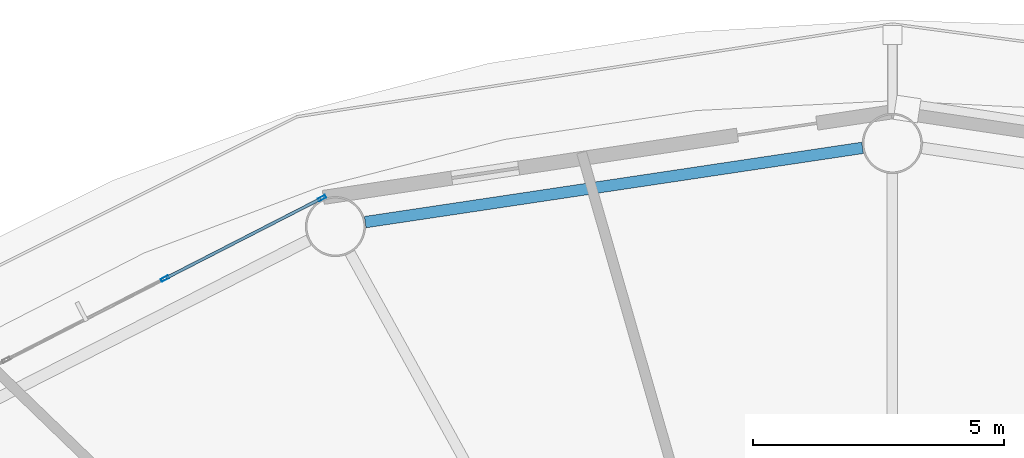
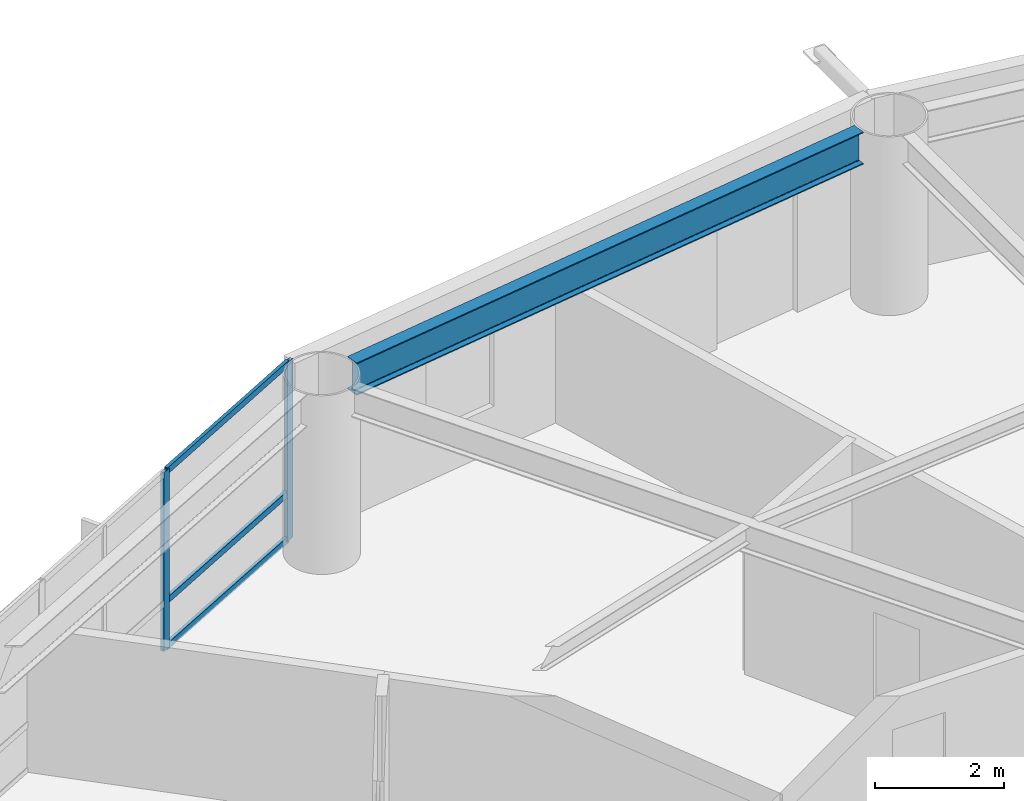
# One storey, part 10 of 24: 5 members, 1 beam, 1 element without a shape of its own.
"""IFC4 building model written with IfcOpenShell, lengths in metres."""

from ifc_helpers import new_model, si_unit, direction, frame, origin, origin_2d, place, context, subcontext, project, spatial, hollow_rectangle, i_section, extrude, material, layer, layer_set, material_profile, profile_set, type_object, element, aggregate, save


model = new_model("IFC4")

# Units and contexts
model_context = context("Model", 3, precision=1e-05, world=origin(), true_north=direction((0.0, 1.0)))
body_context = subcontext(model_context, "Body", "Model", "MODEL_VIEW")
ifc_project = project(units=[si_unit("LENGTHUNIT", "METRE"), si_unit("AREAUNIT", "SQUARE_METRE"), si_unit("VOLUMEUNIT", "CUBIC_METRE"), si_unit("PLANEANGLEUNIT", "RADIAN"), si_unit("MASSUNIT", "GRAM", prefix="KILO")], contexts=[model_context])

# Site, building, storey
site_placement = place(None, origin())
site = spatial("IfcSite", under=ifc_project, at=site_placement, CompositionType="ELEMENT")
building_placement = place(site_placement, origin())
building = spatial("IfcBuilding", under=site, at=building_placement, Name="Sarneth Arch Tower", CompositionType="ELEMENT")
storey_placement = place(building_placement, frame((0.0, 0.0, 94.800048828125)))
storey = spatial("IfcBuildingStorey", under=building, at=storey_placement, Name="L23", CompositionType="ELEMENT", Elevation=94.800048828125)

# Beam
ifc_material_1 = material(Name="Steel S355", Category="steel")
ifc_material_profile_1 = material_profile(ifc_material_1, i_section(OverallWidth=0.22900390625, OverallDepth=0.612060546875, WebThickness=0.011962890625, FlangeThickness=0.01953125, FilletRadius=0.01904296875, at=origin_2d()), Name="W610x125")
ifc_profile_set_1 = profile_set([ifc_material_profile_1], Name="Steel S355")
beam_type = type_object("IfcBeamType", Name="BM-SPAN-610C", PredefinedType="SPANDREL", material=ifc_profile_set_1)
beam_placement = place(storey_placement, frame((47.406494140625, 63.71142578125, 3.073974609375), z_axis=(-0.989028613319, -0.147724073992, 0.0), x_axis=(0.147724073992, -0.989028613319, 0.0)))
element("IfcBeam", 1, at=beam_placement, inside=storey, type_object=beam_type, Name="L23 Perimeter spandrel beam 05", PredefinedType="SPANDREL", context=body_context, shape_type="SweptSolid", body=[
    extrude(i_section(OverallWidth=0.22900390625, OverallDepth=0.612060546875, WebThickness=0.011962890625, FlangeThickness=0.01953125, FilletRadius=0.01904296875, at=origin_2d()), origin(), (0.0, 0.0, 1.0), 10.033447265625),
])

# Curtain wall, members
ifc_material_2 = material(Name="Anodised aluminium Type AA25 and solar-control low-e laminated IGU", Category="aluminium")
ifc_layer = layer(ifc_material_2, 0.159912109375)
ifc_layer_set = layer_set([ifc_layer], Name="Anodised aluminium Type AA25 and solar-control low-e laminated IGU")
curtain_wall_type = type_object("IfcCurtainWallType", Name="CW-HOTEL-MID", PredefinedType="NOTDEFINED", material=ifc_layer_set)
curtain_wall_placement = place(storey_placement, origin())
curtain_wall = element("IfcCurtainWall", 2, at=curtain_wall_placement, inside=storey, type_object=curtain_wall_type, Name="L23 Unitised curtain wall facet 06", PredefinedType="NOTDEFINED")
ifc_material_3 = material(Name="Anodised Aluminium 6063-T6", Category="aluminium")
ifc_material_profile_2 = material_profile(ifc_material_3, hollow_rectangle(XDim=0.06005859375, YDim=0.159912109375, WallThickness=0.00390625, at=origin_2d()), Name="AL-MULL-160x60x4")
ifc_profile_set_2 = profile_set([ifc_material_profile_2], Name="Anodised Aluminium 6063-T6")
member_type_1 = type_object("IfcMemberType", Name="CW-MULLION", PredefinedType="MULLION", material=ifc_profile_set_2)
member_1_placement = place(storey_placement, frame((36.6220703125, 62.708984375, 0.0), z_axis=(0.0, 0.0, 1.0), x_axis=(0.456031365356, -0.889963703649, 0.0)))
member_1 = element("IfcMember", 3, at=member_1_placement, type_object=member_type_1, Name="CW-SYS-4 mullion 1", PredefinedType="MULLION", context=body_context, shape_type="SweptSolid", body=[
    extrude(hollow_rectangle(XDim=0.06005859375, YDim=0.159912109375, WallThickness=0.00390625, at=origin_2d()), origin(), (0.0, 0.0, 1.0), 3.3798828125),
])
member_2_placement = place(storey_placement, frame((33.48583984375, 61.101806640625, 0.0), z_axis=(0.0, 0.0, 1.0), x_axis=(0.456031365356, -0.889963703649, 0.0)))
member_2 = element("IfcMember", 4, at=member_2_placement, type_object=member_type_1, Name="CW-SYS-4 mullion 2", PredefinedType="MULLION", context=body_context, shape_type="SweptSolid", body=[
    extrude(hollow_rectangle(XDim=0.06005859375, YDim=0.159912109375, WallThickness=0.00390625, at=origin_2d()), origin(), (0.0, 0.0, 1.0), 3.3798828125),
])
ifc_material_4 = material(Name="Anodised Aluminium 6063-T6", Category="aluminium")
ifc_material_profile_3 = material_profile(ifc_material_4, hollow_rectangle(XDim=0.06005859375, YDim=0.1201171875, WallThickness=0.00390625, at=origin_2d()), Name="AL-TRAN-120x60x4")
ifc_profile_set_3 = profile_set([ifc_material_profile_3], Name="Anodised Aluminium 6063-T6")
member_type_2 = type_object("IfcMemberType", Name="CW-TRANSOM", PredefinedType="USERDEFINED", material=ifc_profile_set_3)
member_3_placement = place(storey_placement, frame((36.595458984375, 62.6953125, 0.030029296875), z_axis=(-0.889957563627, -0.456043347658, 0.0), x_axis=(0.456043347658, -0.889957563627, 0.0)))
member_3 = element("IfcMember", 5, at=member_3_placement, type_object=member_type_2, Name="CW-SYS-4 transom 1.1", ObjectType="TRANSOM", PredefinedType="USERDEFINED", context=body_context, shape_type="SweptSolid", body=[
    extrude(hollow_rectangle(XDim=0.06005859375, YDim=0.1201171875, WallThickness=0.00390625, at=origin_2d()), origin(), (0.0, 0.0, 1.0), 3.464111328125),
])
member_4_placement = place(storey_placement, frame((36.595458984375, 62.6953125, 0.89990234375), z_axis=(-0.889957563627, -0.456043347658, 0.0), x_axis=(0.456043347658, -0.889957563627, 0.0)))
member_4 = element("IfcMember", 6, at=member_4_placement, type_object=member_type_2, Name="CW-SYS-4 transom 1.2", ObjectType="TRANSOM", PredefinedType="USERDEFINED", context=body_context, shape_type="SweptSolid", body=[
    extrude(hollow_rectangle(XDim=0.06005859375, YDim=0.1201171875, WallThickness=0.00390625, at=origin_2d()), origin(), (0.0, 0.0, 1.0), 3.464111328125),
])
member_5_placement = place(storey_placement, frame((36.595458984375, 62.6953125, 3.349853515625), z_axis=(-0.889957563627, -0.456043347658, 0.0), x_axis=(0.456043347658, -0.889957563627, 0.0)))
member_5 = element("IfcMember", 7, at=member_5_placement, type_object=member_type_2, Name="CW-SYS-4 transom 1.3", ObjectType="TRANSOM", PredefinedType="USERDEFINED", context=body_context, shape_type="SweptSolid", body=[
    extrude(hollow_rectangle(XDim=0.06005859375, YDim=0.1201171875, WallThickness=0.00390625, at=origin_2d()), origin(), (0.0, 0.0, 1.0), 3.464111328125),
])
aggregate(curtain_wall, [member_1, member_2, member_3, member_4, member_5])

save(model, "model.ifc")
